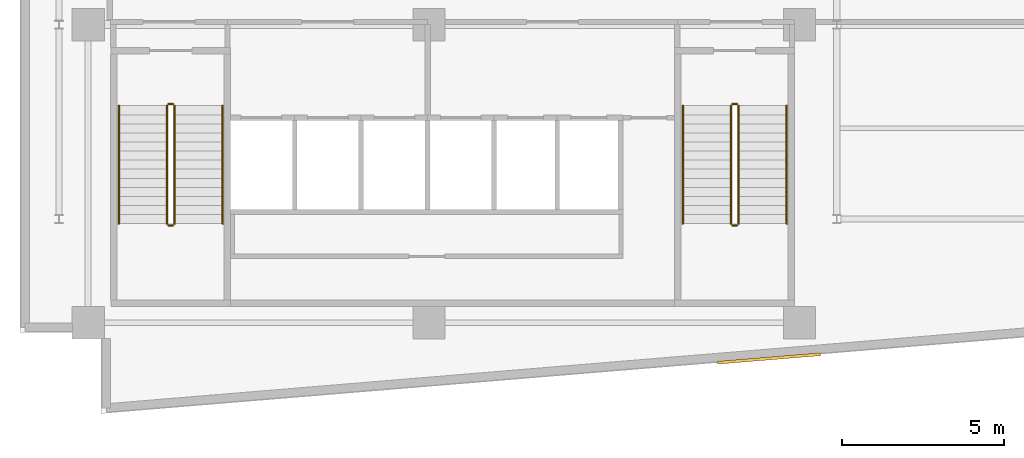
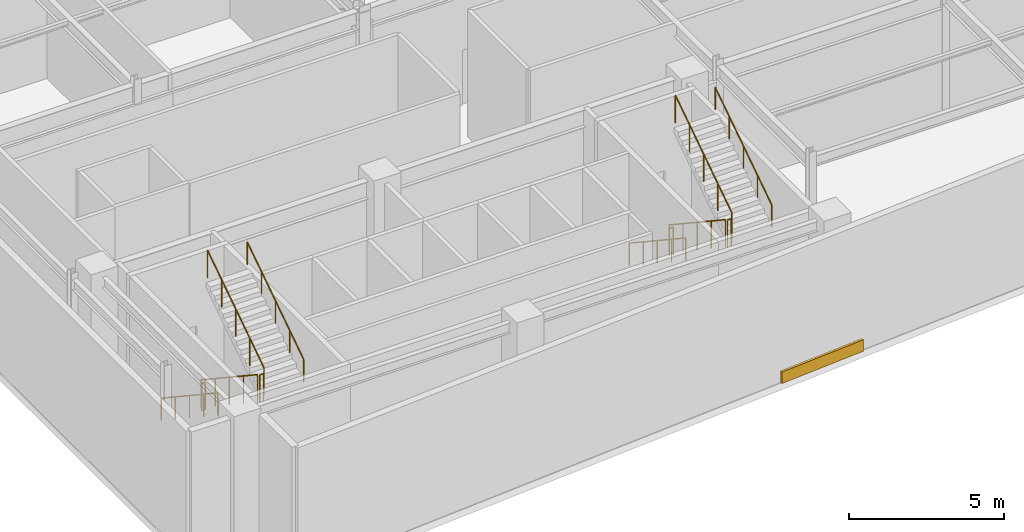
# One storey, part 13 of 15: 12 railings, 1 covering.
"""IFC4 building model written with IfcOpenShell, lengths in metres."""

from ifc_helpers import new_model, si_unit, direction, frame, origin, origin_2d, place, context, subcontext, project, spatial, rectangle, circle, extrude, material, layer, layer_set, type_object, element, save


model = new_model("IFC4")

# Units and contexts
model_context = context("Model", 3, precision=1e-05, world=origin(), true_north=direction((0.0, 1.0)))
body_context = subcontext(model_context, "Body", "Model", "MODEL_VIEW")
ifc_project = project(units=[si_unit("LENGTHUNIT", "METRE"), si_unit("AREAUNIT", "SQUARE_METRE"), si_unit("VOLUMEUNIT", "CUBIC_METRE"), si_unit("PLANEANGLEUNIT", "RADIAN"), si_unit("MASSUNIT", "GRAM", prefix="KILO")], contexts=[model_context])

# Site, building, storey
site_placement = place(None, origin())
site = spatial("IfcSite", under=ifc_project, at=site_placement, CompositionType="ELEMENT")
building_placement = place(site_placement, origin())
building = spatial("IfcBuilding", under=site, at=building_placement, Name="Varnakote Quay Hospital", CompositionType="ELEMENT")
storey_placement = place(building_placement, frame((0.0, 0.0, 235.550048828125)))
storey = spatial("IfcBuildingStorey", under=building, at=storey_placement, Name="L58", CompositionType="ELEMENT", Elevation=235.550048828125)

# Covering
ifc_material_1 = material(Name="Kiln-fired red brick architectural cladding", Category="masonry")
ifc_layer = layer(ifc_material_1, 0.090087890625)
ifc_layer_set = layer_set([ifc_layer], Name="Kiln-fired red brick architectural cladding")
covering_type = type_object("IfcCoveringType", Name="COV-BRICK-CLAD-90", PredefinedType="CLADDING", material=ifc_layer_set)
covering_placement = place(storey_placement, frame((23.11328125, 1.700927734375, 0.0), z_axis=(0.0, 0.0, 1.0), x_axis=(0.996608724165, 0.082286395708, 0.0)))
element("IfcCovering", 1, at=covering_placement, inside=storey, type_object=covering_type, Name="L58 Kiln-Brick Precast Spandrel Cladding Band", PredefinedType="CLADDING", context=body_context, shape_type="SweptSolid", body=[
    extrude(rectangle(XDim=3.199951171875, YDim=0.090087890625, at=origin_2d()), origin(), (0.0, 0.0, 1.0), 0.449951171875),
])

# Railings
ifc_material_2 = material(Name="Brushed stainless steel balustrade", Category="steel")
railing_type_1 = type_object("IfcRailingType", Name="RLG-STAIR-GUARD-1150", PredefinedType="GUARDRAIL", material=ifc_material_2)
railing_1_placement = place(storey_placement, frame((4.530029296875, 9.5, 0.185546875)))
element("IfcRailing", 2, at=railing_1_placement, inside=storey, type_object=railing_type_1, Name="L58 ST-01 stair guard 1", PredefinedType="GUARDRAIL", context=body_context, shape_type="SweptSolid", body=[
    extrude(circle(Radius=0.02392578125, at=origin_2d()), frame((0.0, 0.0, 1.076171875), z_axis=(0.0, -0.833346510843, 0.552750932036), x_axis=(1.0, 0.0, 0.0)), (0.0, 0.0, 1.0), 4.367919921875),
    extrude(circle(Radius=0.02099609375, at=origin_2d()), origin(), (0.0, 0.0, 1.0), 1.052001953125),
    extrude(circle(Radius=0.02099609375, at=origin_2d()), frame((0.0, -0.909912109375, 0.603515625)), (0.0, 0.0, 1.0), 1.052001953125),
    extrude(circle(Radius=0.02099609375, at=origin_2d()), frame((0.0, -1.81982421875, 1.20703125)), (0.0, 0.0, 1.0), 1.052001953125),
    extrude(circle(Radius=0.02099609375, at=origin_2d()), frame((0.0, -2.72998046875, 1.810791015625)), (0.0, 0.0, 1.0), 1.052001953125),
    extrude(circle(Radius=0.02099609375, at=origin_2d()), frame((0.0, -3.639892578125, 2.414306640625)), (0.0, 0.0, 1.0), 1.052001953125),
])
railing_2_placement = place(storey_placement, frame((4.580078125, 5.81005859375, 2.599853515625)))
element("IfcRailing", 3, at=railing_2_placement, inside=storey, type_object=railing_type_1, Name="L58 ST-01 stair guard 2", PredefinedType="GUARDRAIL", context=body_context, shape_type="SweptSolid", body=[
    extrude(circle(Radius=0.02392578125, at=origin_2d()), frame((0.0, 0.0, 1.076171875), z_axis=(1.0, 0.0, 0.0), x_axis=(0.0, 1.0, 0.0)), (0.0, 0.0, 1.0), 0.139892578125),
    extrude(circle(Radius=0.02099609375, at=origin_2d()), origin(), (0.0, 0.0, 1.0), 1.052001953125),
    extrude(circle(Radius=0.02099609375, at=origin_2d()), frame((0.139892578125, 0.0, 0.0)), (0.0, 0.0, 1.0), 1.052001953125),
])
railing_3_placement = place(storey_placement, frame((4.77001953125, 5.860107421875, 2.78564453125)))
element("IfcRailing", 4, at=railing_3_placement, inside=storey, type_object=railing_type_1, Name="L58 ST-01 stair guard 3", PredefinedType="GUARDRAIL", context=body_context, shape_type="SweptSolid", body=[
    extrude(circle(Radius=0.02392578125, at=origin_2d()), frame((0.0, 0.0, 1.076171875), z_axis=(0.0, 0.833346510843, 0.552750932036), x_axis=(-1.0, 0.0, 0.0)), (0.0, 0.0, 1.0), 4.367919921875),
    extrude(circle(Radius=0.02099609375, at=origin_2d()), origin(), (0.0, 0.0, 1.0), 1.052001953125),
    extrude(circle(Radius=0.02099609375, at=origin_2d()), frame((0.0, 0.909912109375, 0.603515625)), (0.0, 0.0, 1.0), 1.052001953125),
    extrude(circle(Radius=0.02099609375, at=origin_2d()), frame((0.0, 1.81982421875, 1.20703125)), (0.0, 0.0, 1.0), 1.052001953125),
    extrude(circle(Radius=0.02099609375, at=origin_2d()), frame((0.0, 2.72998046875, 1.810791015625)), (0.0, 0.0, 1.0), 1.052001953125),
    extrude(circle(Radius=0.02099609375, at=origin_2d()), frame((0.0, 3.639892578125, 2.414306640625)), (0.0, 0.0, 1.0), 1.052001953125),
])
railing_4_placement = place(storey_placement, frame((4.580078125, 9.550048828125, 0.0)))
element("IfcRailing", 5, at=railing_4_placement, inside=storey, type_object=railing_type_1, Name="L58 ST-01 stair guard 4", PredefinedType="GUARDRAIL", context=body_context, shape_type="SweptSolid", body=[
    extrude(circle(Radius=0.02392578125, at=origin_2d()), frame((0.0, 0.0, 1.076171875), z_axis=(1.0, 0.0, 0.0), x_axis=(0.0, 1.0, 0.0)), (0.0, 0.0, 1.0), 0.139892578125),
    extrude(circle(Radius=0.02099609375, at=origin_2d()), origin(), (0.0, 0.0, 1.0), 1.052001953125),
    extrude(circle(Radius=0.02099609375, at=origin_2d()), frame((0.139892578125, 0.0, 0.0)), (0.0, 0.0, 1.0), 1.052001953125),
])
railing_5_placement = place(storey_placement, frame((21.929931640625, 9.5, 0.185546875)))
element("IfcRailing", 6, at=railing_5_placement, inside=storey, type_object=railing_type_1, Name="L58 ST-02 stair guard 1", PredefinedType="GUARDRAIL", context=body_context, shape_type="SweptSolid", body=[
    extrude(circle(Radius=0.02392578125, at=origin_2d()), frame((0.0, 0.0, 1.076171875), z_axis=(0.0, -0.833346510843, 0.552750932036), x_axis=(1.0, 0.0, 0.0)), (0.0, 0.0, 1.0), 4.367919921875),
    extrude(circle(Radius=0.02099609375, at=origin_2d()), origin(), (0.0, 0.0, 1.0), 1.052001953125),
    extrude(circle(Radius=0.02099609375, at=origin_2d()), frame((0.0, -0.909912109375, 0.603515625)), (0.0, 0.0, 1.0), 1.052001953125),
    extrude(circle(Radius=0.02099609375, at=origin_2d()), frame((0.0, -1.81982421875, 1.20703125)), (0.0, 0.0, 1.0), 1.052001953125),
    extrude(circle(Radius=0.02099609375, at=origin_2d()), frame((0.0, -2.72998046875, 1.810791015625)), (0.0, 0.0, 1.0), 1.052001953125),
    extrude(circle(Radius=0.02099609375, at=origin_2d()), frame((0.0, -3.639892578125, 2.414306640625)), (0.0, 0.0, 1.0), 1.052001953125),
])
railing_6_placement = place(storey_placement, frame((21.97998046875, 5.81005859375, 2.599853515625)))
element("IfcRailing", 7, at=railing_6_placement, inside=storey, type_object=railing_type_1, Name="L58 ST-02 stair guard 2", PredefinedType="GUARDRAIL", context=body_context, shape_type="SweptSolid", body=[
    extrude(circle(Radius=0.02392578125, at=origin_2d()), frame((0.0, 0.0, 1.076171875), z_axis=(1.0, 0.0, 0.0), x_axis=(0.0, 1.0, 0.0)), (0.0, 0.0, 1.0), 0.14013671875),
    extrude(circle(Radius=0.02099609375, at=origin_2d()), origin(), (0.0, 0.0, 1.0), 1.052001953125),
    extrude(circle(Radius=0.02099609375, at=origin_2d()), frame((0.14013671875, 0.0, 0.0)), (0.0, 0.0, 1.0), 1.052001953125),
])
railing_7_placement = place(storey_placement, frame((22.169921875, 5.860107421875, 2.78564453125)))
element("IfcRailing", 8, at=railing_7_placement, inside=storey, type_object=railing_type_1, Name="L58 ST-02 stair guard 3", PredefinedType="GUARDRAIL", context=body_context, shape_type="SweptSolid", body=[
    extrude(circle(Radius=0.02392578125, at=origin_2d()), frame((0.0, 0.0, 1.076171875), z_axis=(0.0, 0.833346510843, 0.552750932036), x_axis=(-1.0, 0.0, 0.0)), (0.0, 0.0, 1.0), 4.367919921875),
    extrude(circle(Radius=0.02099609375, at=origin_2d()), origin(), (0.0, 0.0, 1.0), 1.052001953125),
    extrude(circle(Radius=0.02099609375, at=origin_2d()), frame((0.0, 0.909912109375, 0.603515625)), (0.0, 0.0, 1.0), 1.052001953125),
    extrude(circle(Radius=0.02099609375, at=origin_2d()), frame((0.0, 1.81982421875, 1.20703125)), (0.0, 0.0, 1.0), 1.052001953125),
    extrude(circle(Radius=0.02099609375, at=origin_2d()), frame((0.0, 2.72998046875, 1.810791015625)), (0.0, 0.0, 1.0), 1.052001953125),
    extrude(circle(Radius=0.02099609375, at=origin_2d()), frame((0.0, 3.639892578125, 2.414306640625)), (0.0, 0.0, 1.0), 1.052001953125),
])
railing_8_placement = place(storey_placement, frame((21.97998046875, 9.550048828125, 0.0)))
element("IfcRailing", 9, at=railing_8_placement, inside=storey, type_object=railing_type_1, Name="L58 ST-02 stair guard 4", PredefinedType="GUARDRAIL", context=body_context, shape_type="SweptSolid", body=[
    extrude(circle(Radius=0.02392578125, at=origin_2d()), frame((0.0, 0.0, 1.076171875), z_axis=(1.0, 0.0, 0.0), x_axis=(0.0, 1.0, 0.0)), (0.0, 0.0, 1.0), 0.14013671875),
    extrude(circle(Radius=0.02099609375, at=origin_2d()), origin(), (0.0, 0.0, 1.0), 1.052001953125),
    extrude(circle(Radius=0.02099609375, at=origin_2d()), frame((0.14013671875, 0.0, 0.0)), (0.0, 0.0, 1.0), 1.052001953125),
])
ifc_material_3 = material(Name="Brushed stainless steel handrail", Category="steel")
railing_type_2 = type_object("IfcRailingType", Name="RLG-STAIR-HND-920", PredefinedType="HANDRAIL", material=ifc_material_3)
railing_9_placement = place(storey_placement, frame((3.050048828125, 9.5, 0.185546875)))
element("IfcRailing", 10, at=railing_9_placement, inside=storey, type_object=railing_type_2, Name="L58 ST-01 stair handrail 1", PredefinedType="HANDRAIL", context=body_context, shape_type="SweptSolid", body=[
    extrude(circle(Radius=0.02392578125, at=origin_2d()), frame((0.0, 0.0, 0.8759765625), z_axis=(0.0, -0.833346510843, 0.552750932036), x_axis=(1.0, 0.0, 0.0)), (0.0, 0.0, 1.0), 4.367919921875),
    extrude(circle(Radius=0.02099609375, at=origin_2d()), origin(), (0.0, 0.0, 1.0), 0.851806640625),
    extrude(circle(Radius=0.02099609375, at=origin_2d()), frame((0.0, -0.909912109375, 0.603515625)), (0.0, 0.0, 1.0), 0.851806640625),
    extrude(circle(Radius=0.02099609375, at=origin_2d()), frame((0.0, -1.81982421875, 1.20703125)), (0.0, 0.0, 1.0), 0.851806640625),
    extrude(circle(Radius=0.02099609375, at=origin_2d()), frame((0.0, -2.72998046875, 1.810791015625)), (0.0, 0.0, 1.0), 0.851806640625),
    extrude(circle(Radius=0.02099609375, at=origin_2d()), frame((0.0, -3.639892578125, 2.414306640625)), (0.0, 0.0, 1.0), 0.851806640625),
])
railing_10_placement = place(storey_placement, frame((6.25, 5.860107421875, 2.78564453125)))
element("IfcRailing", 11, at=railing_10_placement, inside=storey, type_object=railing_type_2, Name="L58 ST-01 stair handrail 2", PredefinedType="HANDRAIL", context=body_context, shape_type="SweptSolid", body=[
    extrude(circle(Radius=0.02392578125, at=origin_2d()), frame((0.0, 0.0, 0.8759765625), z_axis=(0.0, 0.833346510843, 0.552750932036), x_axis=(-1.0, 0.0, 0.0)), (0.0, 0.0, 1.0), 4.367919921875),
    extrude(circle(Radius=0.02099609375, at=origin_2d()), origin(), (0.0, 0.0, 1.0), 0.851806640625),
    extrude(circle(Radius=0.02099609375, at=origin_2d()), frame((0.0, 0.909912109375, 0.603515625)), (0.0, 0.0, 1.0), 0.851806640625),
    extrude(circle(Radius=0.02099609375, at=origin_2d()), frame((0.0, 1.81982421875, 1.20703125)), (0.0, 0.0, 1.0), 0.851806640625),
    extrude(circle(Radius=0.02099609375, at=origin_2d()), frame((0.0, 2.72998046875, 1.810791015625)), (0.0, 0.0, 1.0), 0.851806640625),
    extrude(circle(Radius=0.02099609375, at=origin_2d()), frame((0.0, 3.639892578125, 2.414306640625)), (0.0, 0.0, 1.0), 0.851806640625),
])
railing_11_placement = place(storey_placement, frame((20.449951171875, 9.5, 0.185546875)))
element("IfcRailing", 12, at=railing_11_placement, inside=storey, type_object=railing_type_2, Name="L58 ST-02 stair handrail 1", PredefinedType="HANDRAIL", context=body_context, shape_type="SweptSolid", body=[
    extrude(circle(Radius=0.02392578125, at=origin_2d()), frame((0.0, 0.0, 0.8759765625), z_axis=(0.0, -0.833346510843, 0.552750932036), x_axis=(1.0, 0.0, 0.0)), (0.0, 0.0, 1.0), 4.367919921875),
    extrude(circle(Radius=0.02099609375, at=origin_2d()), origin(), (0.0, 0.0, 1.0), 0.851806640625),
    extrude(circle(Radius=0.02099609375, at=origin_2d()), frame((0.0, -0.909912109375, 0.603515625)), (0.0, 0.0, 1.0), 0.851806640625),
    extrude(circle(Radius=0.02099609375, at=origin_2d()), frame((0.0, -1.81982421875, 1.20703125)), (0.0, 0.0, 1.0), 0.851806640625),
    extrude(circle(Radius=0.02099609375, at=origin_2d()), frame((0.0, -2.72998046875, 1.810791015625)), (0.0, 0.0, 1.0), 0.851806640625),
    extrude(circle(Radius=0.02099609375, at=origin_2d()), frame((0.0, -3.639892578125, 2.414306640625)), (0.0, 0.0, 1.0), 0.851806640625),
])
railing_12_placement = place(storey_placement, frame((23.64990234375, 5.860107421875, 2.78564453125)))
element("IfcRailing", 13, at=railing_12_placement, inside=storey, type_object=railing_type_2, Name="L58 ST-02 stair handrail 2", PredefinedType="HANDRAIL", context=body_context, shape_type="SweptSolid", body=[
    extrude(circle(Radius=0.02392578125, at=origin_2d()), frame((0.0, 0.0, 0.8759765625), z_axis=(0.0, 0.833346510843, 0.552750932036), x_axis=(-1.0, 0.0, 0.0)), (0.0, 0.0, 1.0), 4.367919921875),
    extrude(circle(Radius=0.02099609375, at=origin_2d()), origin(), (0.0, 0.0, 1.0), 0.851806640625),
    extrude(circle(Radius=0.02099609375, at=origin_2d()), frame((0.0, 0.909912109375, 0.603515625)), (0.0, 0.0, 1.0), 0.851806640625),
    extrude(circle(Radius=0.02099609375, at=origin_2d()), frame((0.0, 1.81982421875, 1.20703125)), (0.0, 0.0, 1.0), 0.851806640625),
    extrude(circle(Radius=0.02099609375, at=origin_2d()), frame((0.0, 2.72998046875, 1.810791015625)), (0.0, 0.0, 1.0), 0.851806640625),
    extrude(circle(Radius=0.02099609375, at=origin_2d()), frame((0.0, 3.639892578125, 2.414306640625)), (0.0, 0.0, 1.0), 0.851806640625),
])

save(model, "model.ifc")
